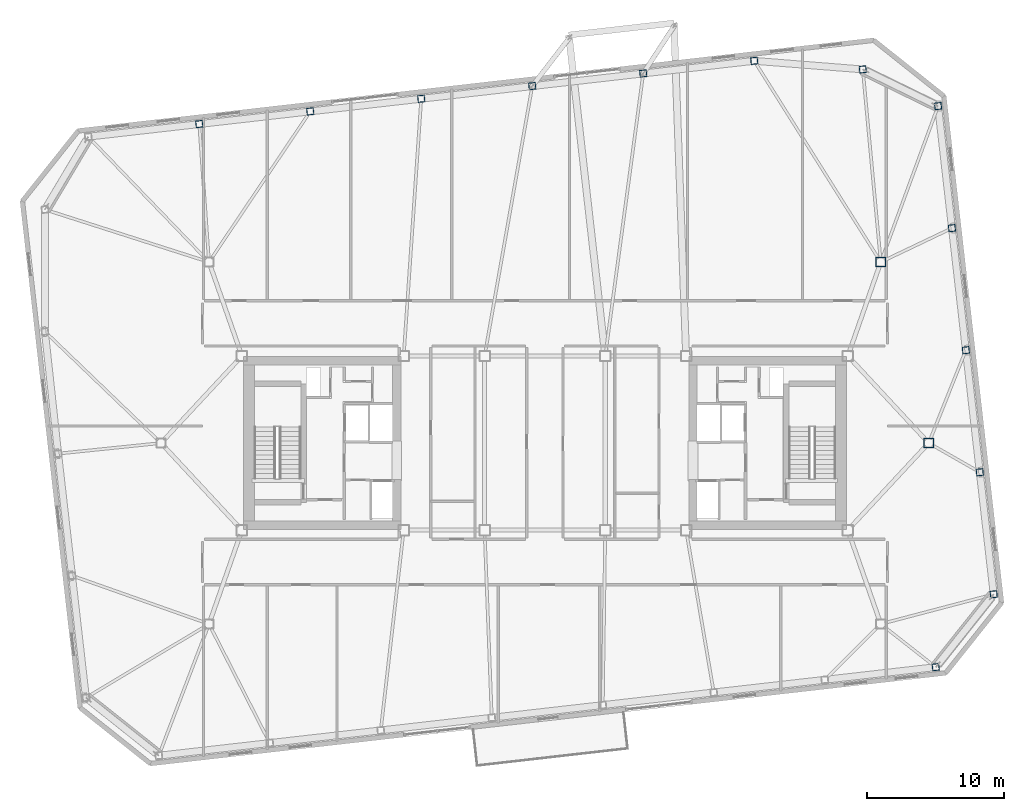
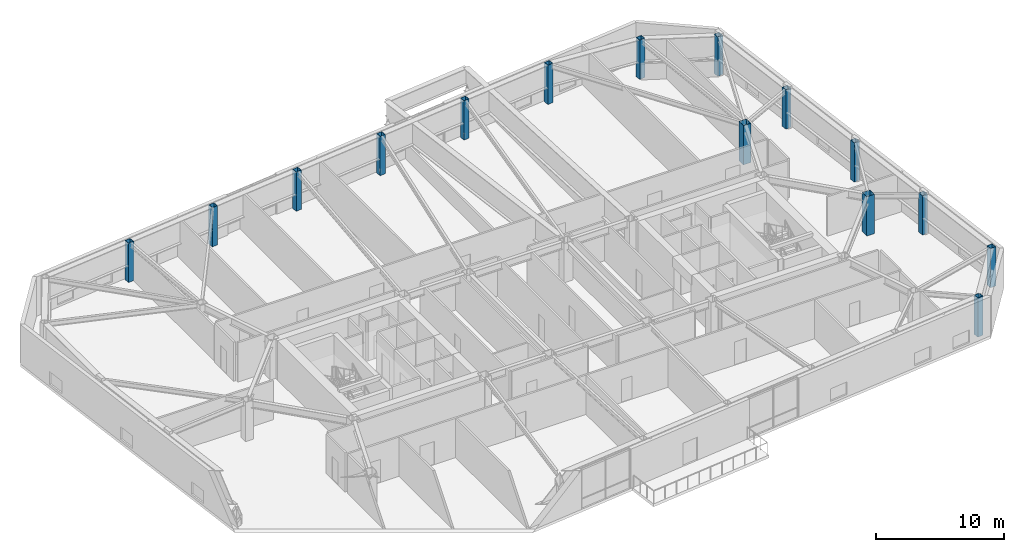
# One storey, part 2 of 20: 15 columns.
"""IFC4 building model written with IfcOpenShell, lengths in metres."""

from ifc_helpers import new_model, si_unit, direction, frame, origin, origin_2d, place, context, subcontext, project, spatial, hollow_rectangle, extrude, material, material_profile, profile_set, type_object, element, save


model = new_model("IFC4")

# Units and contexts
model_context = context("Model", 3, precision=1e-05, world=origin(), true_north=direction((0.0, 1.0)))
body_context = subcontext(model_context, "Body", "Model", "MODEL_VIEW")
ifc_project = project(units=[si_unit("LENGTHUNIT", "METRE"), si_unit("AREAUNIT", "SQUARE_METRE"), si_unit("VOLUMEUNIT", "CUBIC_METRE"), si_unit("PLANEANGLEUNIT", "RADIAN"), si_unit("MASSUNIT", "GRAM", prefix="KILO")], contexts=[model_context])

# Site, building, storey
site_placement = place(None, origin())
site = spatial("IfcSite", under=ifc_project, at=site_placement, CompositionType="ELEMENT")
building_placement = place(site_placement, origin())
building = spatial("IfcBuilding", under=site, at=building_placement, Name="Tavrogorsk Clinical Tower", CompositionType="ELEMENT")
storey_placement = place(building_placement, frame((0.0, 0.0, 234.199951171875)))
storey = spatial("IfcBuildingStorey", under=building, at=storey_placement, Name="L54", CompositionType="ELEMENT", Elevation=234.199951171875)

# Columns
ifc_material_1 = material(Name="Structural steel S440", Category="steel")
ifc_material_profile_1 = material_profile(ifc_material_1, hollow_rectangle(XDim=0.699951171875, YDim=0.699951171875, WallThickness=0.031982421875, at=origin_2d()), Name="BOX-700x700x32")
ifc_profile_set_1 = profile_set([ifc_material_profile_1], Name="Structural steel S440")
column_type_1 = type_object("IfcColumnType", Name="MegaCol_BOX700", PredefinedType="COLUMN", material=ifc_profile_set_1)
for number, where, z_axis, x_axis, name in (
    (1, (24.5, 13.199951171875, 0.0), (0.0, 0.0, 1.0), (1.0, 0.0, 0.0), "L54 Spine Pilotis Column MC-P4"),
    (2, (28.0, 0.0, 0.0), (0.0, 0.0, 1.0), (1.0, 0.0, 0.0), "L54 Spine Pilotis Column MC-P6"),
):
    element("IfcColumn", number, at=place(storey_placement, frame(where, z_axis=z_axis, x_axis=x_axis)), inside=storey, type_object=column_type_1, Name=name, PredefinedType="COLUMN", context=body_context, shape_type="SweptSolid", body=[
        extrude(hollow_rectangle(XDim=0.699951171875, YDim=0.699951171875, WallThickness=0.031982421875, at=origin_2d()), origin(), (0.0, 0.0, 1.0), 3.739990234375),
    ])
ifc_material_2 = material(Name="Structural steel S440", Category="steel")
ifc_material_profile_2 = material_profile(ifc_material_2, hollow_rectangle(XDim=0.5, YDim=0.5, WallThickness=0.02490234375, at=origin_2d()), Name="BOX-500x500x25")
ifc_profile_set_2 = profile_set([ifc_material_profile_2], Name="Structural steel S440")
column_type_2 = type_object("IfcColumnType", Name="PerimCol_B4_BOX500", PredefinedType="COLUMN", material=ifc_profile_set_2)
for number, where, z_axis, x_axis, name in (
    (3, (28.508544921875, -16.345458984375, 0.0), (0.0, 0.0, 1.0), (0.993571855677, 0.113203213768, 0.0), "L54 Perimeter Column S8"),
    (4, (23.188232421875, 27.25341796875, 0.0), (0.0, 0.0, 1.0), (0.993571855677, 0.113203213768, 0.0), "L54 Perimeter Column N1"),
    (5, (15.2685546875, 27.880126953125, 0.0), (0.0, 0.0, 1.0), (0.993571855677, 0.113203213768, 0.0), "L54 Perimeter Column N2"),
    (6, (7.17236328125, 26.95751953125, 0.0), (0.0, 0.0, 1.0), (0.993571855677, 0.113203213768, 0.0), "L54 Perimeter Column N3"),
    (7, (-0.923828125, 26.03515625, 0.0), (0.0, 0.0, 1.0), (0.993571855677, 0.113203213768, 0.0), "L54 Perimeter Column N4"),
    (8, (-9.02001953125, 25.11279296875, 0.0), (0.0, 0.0, 1.0), (0.993571855677, 0.113203213768, 0.0), "L54 Perimeter Column N5"),
    (9, (-17.1162109375, 24.190185546875, 0.0), (0.0, 0.0, 1.0), (0.993571855677, 0.113203213768, 0.0), "L54 Perimeter Column N6"),
    (10, (-25.21240234375, 23.267822265625, 0.0), (0.0, 0.0, 1.0), (0.993571855677, 0.113203213768, 0.0), "L54 Perimeter Column N7"),
    (11, (32.734375, -11.032958984375, 0.0), (0.0, 0.0, 1.0), (0.993571855677, 0.113203213768, 0.0), "L54 Perimeter Column E1"),
    (12, (31.72021484375, -2.130615234375, 0.0), (0.0, 0.0, 1.0), (0.993571855677, 0.113203213768, 0.0), "L54 Perimeter Column E2"),
    (13, (30.705810546875, 6.77197265625, 0.0), (0.0, 0.0, 1.0), (0.993571855677, 0.113203213768, 0.0), "L54 Perimeter Column E3"),
    (14, (29.69140625, 15.67431640625, 0.0), (0.0, 0.0, 1.0), (0.993571855677, 0.113203213768, 0.0), "L54 Perimeter Column E4"),
    (15, (28.67724609375, 24.57666015625, 0.0), (0.0, 0.0, 1.0), (0.993571855677, 0.113203213768, 0.0), "L54 Perimeter Column E5"),
):
    element("IfcColumn", number, at=place(storey_placement, frame(where, z_axis=z_axis, x_axis=x_axis)), inside=storey, type_object=column_type_2, Name=name, PredefinedType="COLUMN", context=body_context, shape_type="SweptSolid", body=[
        extrude(hollow_rectangle(XDim=0.5, YDim=0.5, WallThickness=0.02490234375, at=origin_2d()), origin(), (0.0, 0.0, 1.0), 3.739990234375),
    ])

save(model, "model.ifc")
